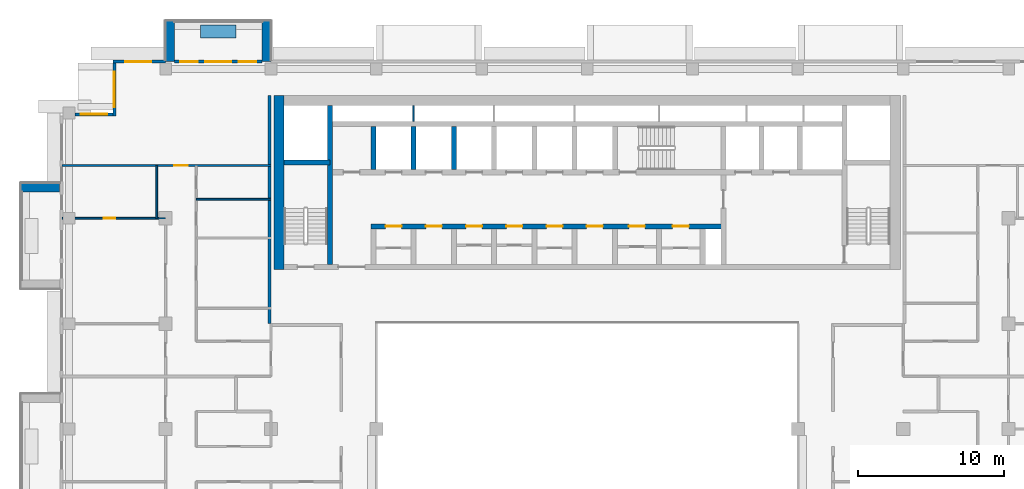
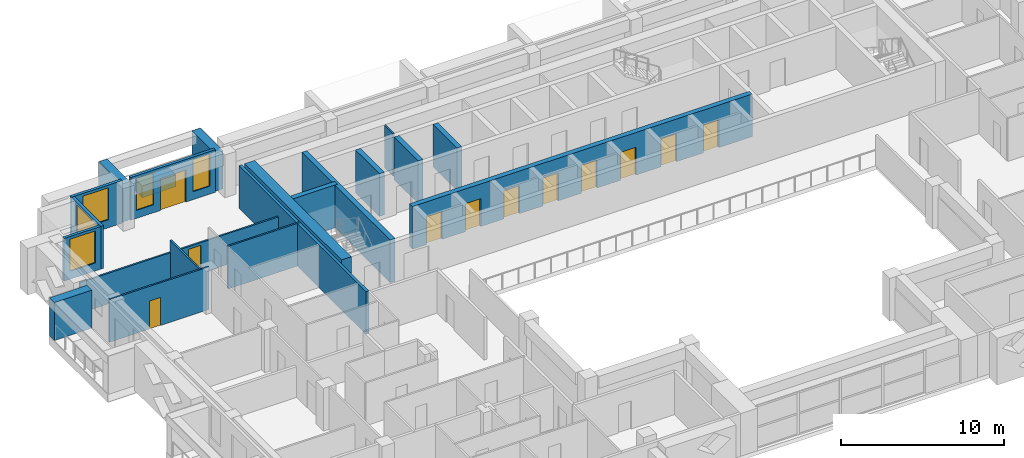
# One storey, part 10 of 20: 21 walls, 11 doors, 5 windows, 16 openings.
"""IFC4 building model written with IfcOpenShell, lengths in metres."""

from ifc_helpers import new_model, si_unit, direction, frame, frame_2d, origin, place, context, subcontext, project, spatial, rectangle, extrude, material, layer, layer_set, type_object, element, fill, save


model = new_model("IFC4")

# Units and contexts
model_context = context("Model", 3, precision=1e-05, world=origin(), true_north=direction((0.0, 1.0)))
body_context = subcontext(model_context, "Body", "Model", "MODEL_VIEW")
ifc_project = project(units=[si_unit("LENGTHUNIT", "METRE"), si_unit("AREAUNIT", "SQUARE_METRE"), si_unit("VOLUMEUNIT", "CUBIC_METRE"), si_unit("PLANEANGLEUNIT", "RADIAN"), si_unit("MASSUNIT", "GRAM", prefix="KILO")], contexts=[model_context])

# Site, building, storey
site_placement = place(None, origin())
site = spatial("IfcSite", under=ifc_project, at=site_placement, CompositionType="ELEMENT")
building_placement = place(site_placement, origin())
building = spatial("IfcBuilding", under=site, at=building_placement, Name="Saffron Iwan Residences", CompositionType="ELEMENT")
storey_placement = place(building_placement, frame((0.0, 0.0, 178.0)))
storey = spatial("IfcBuildingStorey", under=building, at=storey_placement, Name="L47", CompositionType="ELEMENT", Elevation=178.0)

# Walls
ifc_material_1 = material(Name="Concrete C50/60 white painted", Category="concrete")
ifc_layer_1 = layer(ifc_material_1, 0.60009765625)
ifc_layer_set_1 = layer_set([ifc_layer_1], Name="Concrete C50/60 white painted")
wall_type_1 = type_object("IfcWallType", Name="BALCONY FIN 600", PredefinedType="SOLIDWALL", material=ifc_layer_set_1)
for number, where, z_axis, x_axis, name in (
    (1, (28.5, 80.300048828125, 0.0), (0.0, 0.0, 1.0), (0.0, 1.0, 0.0), "Balcony fin L47 F5-3a"),
    (2, (21.89990234375, 80.300048828125, 0.0), (0.0, 0.0, 1.0), (0.0, 1.0, 0.0), "Balcony fin L47 F5-3b"),
):
    element("IfcWall", number, at=place(storey_placement, frame(where, z_axis=z_axis, x_axis=x_axis)), inside=storey, type_object=wall_type_1, Name=name, PredefinedType="SOLIDWALL", context=body_context, shape_type="SweptSolid", body=[
        extrude(rectangle(XDim=2.800048828125, YDim=0.60009765625, at=frame_2d((1.39990234375, 0.0))), origin(), (0.0, 0.0, 1.0), 2.85009765625),
    ])
wall_1_placement = place(storey_placement, frame((14.35009765625, 71.699951171875, 0.0), z_axis=(0.0, 0.0, 1.0), x_axis=(-1.0, 0.0, 0.0)))
element("IfcWall", 3, at=wall_1_placement, inside=storey, type_object=wall_type_1, Name="Balcony fin L47 F8-0a", PredefinedType="SOLIDWALL", context=body_context, shape_type="SweptSolid", body=[
    extrude(rectangle(XDim=2.650146484375, YDim=0.60009765625, at=frame_2d((1.3251953125, 0.0))), origin(), (0.0, 0.0, 1.0), 2.85009765625),
])
ifc_material_2 = material(Name="Concrete C35/45 white painted", Category="concrete")
ifc_layer_2 = layer(ifc_material_2, 0.14990234375)
ifc_layer_set_2 = layer_set([ifc_layer_2], Name="Concrete C35/45 white painted")
wall_type_2 = type_object("IfcWallType", Name="BALCONY PLANTER", PredefinedType="SOLIDWALL", material=ifc_layer_set_2)
wall_2_placement = place(storey_placement, frame((26.39990234375, 82.375, 0.0), z_axis=(0.0, 0.0, 1.0), x_axis=(-1.0, 0.0, 0.0)))
element("IfcWall", 4, at=wall_2_placement, inside=storey, type_object=wall_type_2, Name="PLANTER L47 F5-3", PredefinedType="SOLIDWALL", context=body_context, shape_type="SweptSolid", body=[
    extrude(rectangle(XDim=2.39990234375, YDim=0.89990234375, at=frame_2d((1.199951171875, 0.0))), origin(), (0.0, 0.0, 1.0), 0.89990234375),
])

# Wall, openings, door, windows
ifc_material_3 = material(Name="Concrete C40/50", Category="concrete")
ifc_layer_3 = layer(ifc_material_3, 0.199951171875)
ifc_layer_set_3 = layer_set([ifc_layer_3], Name="Concrete C40/50")
wall_type_3 = type_object("IfcWallType", Name="EXTERNAL WALL 200", PredefinedType="SOLIDWALL", material=ifc_layer_set_3)
wall_3_placement = place(storey_placement, frame((28.199951171875, 80.300048828125, 0.0), z_axis=(0.0, 0.0, 1.0), x_axis=(-1.0, 0.0, 0.0)))
wall_3 = element("IfcWall", 5, at=wall_3_placement, inside=storey, type_object=wall_type_3, Name="External wall L47 F5.1", PredefinedType="SOLIDWALL", context=body_context, shape_type="SweptSolid", body=[
    extrude(rectangle(XDim=6.0, YDim=0.199951171875, at=frame_2d((3.0, 0.0))), origin(), (0.0, 0.0, 1.0), 3.199951171875),
])
opening_1_placement = place(wall_3_placement, frame((2.10009765625, 0.0, 0.0)))
opening_1 = element("IfcOpeningElement", 6, at=opening_1_placement, cuts=wall_3, Name="Opening BD1", PredefinedType="OPENING", context=body_context, shape_type="SweptSolid", body=[
    extrude(rectangle(XDim=1.800048828125, YDim=2.39990234375, at=frame_2d((0.89990234375, 1.199951171875))), frame((0.0, 0.10986328125, 0.0), z_axis=(0.0, -1.0, 0.0), x_axis=(1.0, 0.0, 0.0)), (0.0, 0.0, 1.0), 0.219970703125),
])
opening_2_placement = place(wall_3_placement, frame((0.39990234375, 0.0, 0.60009765625)))
opening_2 = element("IfcOpeningElement", 7, at=opening_2_placement, cuts=wall_3, Name="Opening W3", PredefinedType="OPENING", context=body_context, shape_type="SweptSolid", body=[
    extrude(rectangle(XDim=1.199951171875, YDim=2.39990234375, at=frame_2d((0.60009765625, 1.199951171875))), frame((0.0, 0.10986328125, 0.0), z_axis=(0.0, -1.0, 0.0), x_axis=(1.0, 0.0, 0.0)), (0.0, 0.0, 1.0), 0.219970703125),
])
opening_3_placement = place(wall_3_placement, frame((4.39990234375, 0.0, 0.60009765625)))
opening_3 = element("IfcOpeningElement", 8, at=opening_3_placement, cuts=wall_3, Name="Opening W3", PredefinedType="OPENING", context=body_context, shape_type="SweptSolid", body=[
    extrude(rectangle(XDim=1.199951171875, YDim=2.39990234375, at=frame_2d((0.60009765625, 1.199951171875))), frame((0.0, 0.10986328125, 0.0), z_axis=(0.0, -1.0, 0.0), x_axis=(1.0, 0.0, 0.0)), (0.0, 0.0, 1.0), 0.219970703125),
])
ifc_material_4 = material(Name="Clear glass, laminated double glazed", Category="glass")
door_type_1 = type_object("IfcDoorType", Name="BALCONY DOOR 1800 x 2400", OperationType="DOUBLE_DOOR_SLIDING", PredefinedType="DOOR", material=ifc_material_4)
door_1_placement = place(opening_1_placement, origin())
door_1 = element("IfcDoor", 9, at=door_1_placement, inside=storey, type_object=door_type_1, Name="Balcony door L47 F5.0", OperationType="DOUBLE_DOOR_SLIDING", OverallHeight=2.39990234375, OverallWidth=1.800048828125, PredefinedType="DOOR", context=body_context, shape_type="SweptSolid", body=[
    extrude(rectangle(XDim=1.800048828125, YDim=2.39990234375, at=frame_2d((0.89990234375, 1.199951171875))), frame((0.0, 0.02490234375, 0.0), z_axis=(0.0, -1.0, 0.0), x_axis=(1.0, 0.0, 0.0)), (0.0, 0.0, 1.0), 0.050048828125),
])
fill(opening_1, door_1)
window_type_1 = type_object("IfcWindowType", Name="WINDOW 1200 x 2400", PartitioningType="SINGLE_PANEL", PredefinedType="WINDOW", material=ifc_material_4)
window_1_placement = place(opening_2_placement, origin())
window_1 = element("IfcWindow", 10, at=window_1_placement, inside=storey, type_object=window_type_1, Name="Window L47 F5.1", OverallHeight=2.39990234375, OverallWidth=1.199951171875, PartitioningType="SINGLE_PANEL", PredefinedType="WINDOW", context=body_context, shape_type="SweptSolid", body=[
    extrude(rectangle(XDim=1.199951171875, YDim=2.39990234375, at=frame_2d((0.60009765625, 1.199951171875))), frame((0.0, 0.030029296875, 0.0), z_axis=(0.0, -1.0, 0.0), x_axis=(1.0, 0.0, 0.0)), (0.0, 0.0, 1.0), 0.06005859375),
])
fill(opening_2, window_1)
window_2_placement = place(opening_3_placement, origin())
window_2 = element("IfcWindow", 11, at=window_2_placement, inside=storey, type_object=window_type_1, Name="Window L47 F5.2", OverallHeight=2.39990234375, OverallWidth=1.199951171875, PartitioningType="SINGLE_PANEL", PredefinedType="WINDOW", context=body_context, shape_type="SweptSolid", body=[
    extrude(rectangle(XDim=1.199951171875, YDim=2.39990234375, at=frame_2d((0.60009765625, 1.199951171875))), frame((0.0, 0.030029296875, 0.0), z_axis=(0.0, -1.0, 0.0), x_axis=(1.0, 0.0, 0.0)), (0.0, 0.0, 1.0), 0.06005859375),
])
fill(opening_3, window_2)

# Wall, opening, window
wall_4_placement = place(storey_placement, frame((21.60009765625, 80.300048828125, 0.0), z_axis=(0.0, 0.0, 1.0), x_axis=(-1.0, 0.0, 0.0)))
wall_4 = element("IfcWall", 12, at=wall_4_placement, inside=storey, type_object=wall_type_3, Name="External wall L47 F5.2", PredefinedType="SOLIDWALL", context=body_context, shape_type="SweptSolid", body=[
    extrude(rectangle(XDim=3.60009765625, YDim=0.199951171875, at=frame_2d((1.800048828125, 0.0))), origin(), (0.0, 0.0, 1.0), 3.199951171875),
])
opening_4_placement = place(wall_4_placement, frame((0.97509765625, 0.0, 0.60009765625)))
opening_4 = element("IfcOpeningElement", 13, at=opening_4_placement, cuts=wall_4, Name="Opening W8", PredefinedType="OPENING", context=body_context, shape_type="SweptSolid", body=[
    extrude(rectangle(XDim=1.800048828125, YDim=2.39990234375, at=frame_2d((0.89990234375, 1.199951171875))), frame((0.0, 0.10986328125, 0.0), z_axis=(0.0, -1.0, 0.0), x_axis=(1.0, 0.0, 0.0)), (0.0, 0.0, 1.0), 0.219970703125),
])
window_type_2 = type_object("IfcWindowType", Name="WINDOW 1800 x 2400", PartitioningType="DOUBLE_PANEL_VERTICAL", PredefinedType="WINDOW", material=ifc_material_4)
window_3_placement = place(opening_4_placement, origin())
window_3 = element("IfcWindow", 14, at=window_3_placement, inside=storey, type_object=window_type_2, Name="Window L47 F5.0", OverallHeight=2.39990234375, OverallWidth=1.800048828125, PartitioningType="DOUBLE_PANEL_VERTICAL", PredefinedType="WINDOW", context=body_context, shape_type="SweptSolid", body=[
    extrude(rectangle(XDim=1.800048828125, YDim=2.39990234375, at=frame_2d((0.89990234375, 1.199951171875))), frame((0.0, 0.030029296875, 0.0), z_axis=(0.0, -1.0, 0.0), x_axis=(1.0, 0.0, 0.0)), (0.0, 0.0, 1.0), 0.06005859375),
])
fill(opening_4, window_3)

wall_5_placement = place(storey_placement, frame((18.10009765625, 80.199951171875, 0.0), z_axis=(0.0, 0.0, 1.0), x_axis=(0.0, -1.0, 0.0)))
wall_5 = element("IfcWall", 15, at=wall_5_placement, inside=storey, type_object=wall_type_3, Name="External wall L47 F6.0", PredefinedType="SOLIDWALL", context=body_context, shape_type="SweptSolid", body=[
    extrude(rectangle(XDim=3.599853515625, YDim=0.199951171875, at=frame_2d((1.7998046875, 0.0))), origin(), (0.0, 0.0, 1.0), 3.199951171875),
])
opening_5_placement = place(wall_5_placement, frame((0.60009765625, 0.0, 0.60009765625)))
opening_5 = element("IfcOpeningElement", 16, at=opening_5_placement, cuts=wall_5, Name="Opening W1", PredefinedType="OPENING", context=body_context, shape_type="SweptSolid", body=[
    extrude(rectangle(XDim=2.39990234375, YDim=2.39990234375, at=frame_2d((1.199951171875, 1.199951171875))), frame((0.0, 0.10986328125, 0.0), z_axis=(0.0, -1.0, 0.0), x_axis=(1.0, 0.0, 0.0)), (0.0, 0.0, 1.0), 0.219970703125),
])
window_type_3 = type_object("IfcWindowType", Name="WINDOW 2400 x 2400", PartitioningType="DOUBLE_PANEL_VERTICAL", PredefinedType="WINDOW", material=ifc_material_4)
window_4_placement = place(opening_5_placement, origin())
window_4 = element("IfcWindow", 17, at=window_4_placement, inside=storey, type_object=window_type_3, Name="Window L47 F6.0", OverallHeight=2.39990234375, OverallWidth=2.39990234375, PartitioningType="DOUBLE_PANEL_VERTICAL", PredefinedType="WINDOW", context=body_context, shape_type="SweptSolid", body=[
    extrude(rectangle(XDim=2.39990234375, YDim=2.39990234375, at=frame_2d((1.199951171875, 1.199951171875))), frame((0.0, 0.030029296875, 0.0), z_axis=(0.0, -1.0, 0.0), x_axis=(1.0, 0.0, 0.0)), (0.0, 0.0, 1.0), 0.06005859375),
])
fill(opening_5, window_4)

wall_6_placement = place(storey_placement, frame((18.0, 76.699951171875, 0.0), z_axis=(0.0, 0.0, 1.0), x_axis=(-1.0, 0.0, 0.0)))
wall_6 = element("IfcWall", 18, at=wall_6_placement, inside=storey, type_object=wall_type_3, Name="External wall L47 F7.0", PredefinedType="SOLIDWALL", context=body_context, shape_type="SweptSolid", body=[
    extrude(rectangle(XDim=2.60009765625, YDim=0.199951171875, at=frame_2d((1.300048828125, 0.0))), origin(), (0.0, 0.0, 1.0), 3.199951171875),
])
opening_6_placement = place(wall_6_placement, frame((0.39990234375, 0.0, 0.60009765625)))
opening_6 = element("IfcOpeningElement", 19, at=opening_6_placement, cuts=wall_6, Name="Opening W8", PredefinedType="OPENING", context=body_context, shape_type="SweptSolid", body=[
    extrude(rectangle(XDim=1.800048828125, YDim=2.39990234375, at=frame_2d((0.89990234375, 1.199951171875))), frame((0.0, 0.10986328125, 0.0), z_axis=(0.0, -1.0, 0.0), x_axis=(1.0, 0.0, 0.0)), (0.0, 0.0, 1.0), 0.219970703125),
])
window_5_placement = place(opening_6_placement, origin())
window_5 = element("IfcWindow", 20, at=window_5_placement, inside=storey, type_object=window_type_2, Name="Window L47 F7.0", OverallHeight=2.39990234375, OverallWidth=1.800048828125, PartitioningType="DOUBLE_PANEL_VERTICAL", PredefinedType="WINDOW", context=body_context, shape_type="SweptSolid", body=[
    extrude(rectangle(XDim=1.800048828125, YDim=2.39990234375, at=frame_2d((0.89990234375, 1.199951171875))), frame((0.0, 0.030029296875, 0.0), z_axis=(0.0, -1.0, 0.0), x_axis=(1.0, 0.0, 0.0)), (0.0, 0.0, 1.0), 0.06005859375),
])
fill(opening_6, window_5)

# Wall, opening, door
ifc_material_5 = material(Name="Gypsum board partition")
ifc_layer_4 = layer(ifc_material_5, 0.1201171875)
ifc_layer_set_4 = layer_set([ifc_layer_4], Name="Gypsum board partition")
wall_type_4 = type_object("IfcWallType", Name="Flat partition 120", PredefinedType="PARTITIONING", material=ifc_layer_set_4)
wall_7_placement = place(storey_placement, frame((14.52490234375, 69.60009765625, 0.0), z_axis=(0.0, 0.0, 1.0), x_axis=(1.0, 0.0, 0.0)))
wall_7 = element("IfcWall", 21, at=wall_7_placement, inside=storey, type_object=wall_type_4, Name="W-L47-PART-h69.6-14.525", PredefinedType="PARTITIONING", context=body_context, shape_type="SweptSolid", body=[
    extrude(rectangle(XDim=7.0751953125, YDim=0.1201171875, at=frame_2d((3.53759765625, 0.0))), origin(), (0.0, 0.0, 1.0), 3.199951171875),
])
opening_7_placement = place(wall_7_placement, frame((2.83740234375, 0.0, 0.0)))
opening_7 = element("IfcOpeningElement", 22, at=opening_7_placement, cuts=wall_7, Name="Opening FD3", PredefinedType="OPENING", context=body_context, shape_type="SweptSolid", body=[
    extrude(rectangle(XDim=0.800048828125, YDim=2.10009765625, at=frame_2d((0.39990234375, 1.050048828125))), frame((0.0, 0.070068359375, 0.0), z_axis=(0.0, -1.0, 0.0), x_axis=(1.0, 0.0, 0.0)), (0.0, 0.0, 1.0), 0.14013671875),
])
ifc_material_6 = material(Name="Timber door", Category="wood")
door_type_2 = type_object("IfcDoorType", Name="Bathroom door 800", OperationType="NOTDEFINED", PredefinedType="DOOR", material=ifc_material_6)
door_2_placement = place(opening_7_placement, origin())
door_2 = element("IfcDoor", 23, at=door_2_placement, inside=storey, type_object=door_type_2, Name="Door L47-024", OperationType="SINGLE_SWING_LEFT", OverallHeight=2.10009765625, OverallWidth=0.800048828125, PredefinedType="DOOR", context=body_context, shape_type="SweptSolid", body=[
    extrude(rectangle(XDim=0.800048828125, YDim=2.10009765625, at=frame_2d((0.39990234375, 1.050048828125))), frame((0.0, 0.02490234375, 0.0), z_axis=(0.0, -1.0, 0.0), x_axis=(1.0, 0.0, 0.0)), (0.0, 0.0, 1.0), 0.050048828125),
])
fill(opening_7, door_2)

# Wall
wall_8_placement = place(storey_placement, frame((23.699951171875, 70.89990234375, 0.0), z_axis=(0.0, 0.0, 1.0), x_axis=(1.0, 0.0, 0.0)))
element("IfcWall", 24, at=wall_8_placement, inside=storey, type_object=wall_type_4, Name="W-L47-PART-h70.9-23.7", PredefinedType="PARTITIONING", context=body_context, shape_type="SweptSolid", body=[
    extrude(rectangle(XDim=5.10009765625, YDim=0.1201171875, at=frame_2d((2.550048828125, 0.0))), origin(), (0.0, 0.0, 1.0), 3.199951171875),
])

# Wall, opening, door
wall_9_placement = place(storey_placement, frame((14.52490234375, 73.199951171875, 0.0), z_axis=(0.0, 0.0, 1.0), x_axis=(1.0, 0.0, 0.0)))
wall_9 = element("IfcWall", 25, at=wall_9_placement, inside=storey, type_object=wall_type_4, Name="W-L47-PART-h73.2-14.525", PredefinedType="PARTITIONING", context=body_context, shape_type="SweptSolid", body=[
    extrude(rectangle(XDim=14.275146484375, YDim=0.1201171875, at=frame_2d((7.1376953125, 0.0))), origin(), (0.0, 0.0, 1.0), 2.300048828125),
])
opening_8_placement = place(wall_9_placement, frame((7.675048828125, 0.0, 0.0)))
opening_8 = element("IfcOpeningElement", 26, at=opening_8_placement, cuts=wall_9, Name="Opening FD2", PredefinedType="OPENING", context=body_context, shape_type="SweptSolid", body=[
    extrude(rectangle(XDim=0.89990234375, YDim=2.10009765625, at=frame_2d((0.449951171875, 1.050048828125))), frame((0.0, 0.070068359375, 0.0), z_axis=(0.0, -1.0, 0.0), x_axis=(1.0, 0.0, 0.0)), (0.0, 0.0, 1.0), 0.14013671875),
])
door_type_3 = type_object("IfcDoorType", Name="Flat door 900", OperationType="NOTDEFINED", PredefinedType="DOOR", material=ifc_material_6)
door_3_placement = place(opening_8_placement, origin())
door_3 = element("IfcDoor", 27, at=door_3_placement, inside=storey, type_object=door_type_3, Name="Door L47-025", OperationType="SINGLE_SWING_LEFT", OverallHeight=2.10009765625, OverallWidth=0.89990234375, PredefinedType="DOOR", context=body_context, shape_type="SweptSolid", body=[
    extrude(rectangle(XDim=0.89990234375, YDim=2.10009765625, at=frame_2d((0.449951171875, 1.050048828125))), frame((0.0, 0.02490234375, 0.0), z_axis=(0.0, -1.0, 0.0), x_axis=(1.0, 0.0, 0.0)), (0.0, 0.0, 1.0), 0.050048828125),
])
fill(opening_8, door_3)

# Walls
wall_10_placement = place(storey_placement, frame((21.0, 69.60009765625, 0.0), z_axis=(0.0, 0.0, 1.0), x_axis=(0.0, 1.0, 0.0)))
element("IfcWall", 28, at=wall_10_placement, inside=storey, type_object=wall_type_4, Name="W-L47-PART-v21-69.6", PredefinedType="PARTITIONING", context=body_context, shape_type="SweptSolid", body=[
    extrude(rectangle(XDim=3.599853515625, YDim=0.1201171875, at=frame_2d((1.7998046875, 0.0))), origin(), (0.0, 0.0, 1.0), 3.199951171875),
])
ifc_material_7 = material(Name="Fire-rated gypsum board wall")
ifc_layer_5 = layer(ifc_material_7, 0.199951171875)
ifc_layer_set_5 = layer_set([ifc_layer_5], Name="Fire-rated gypsum board wall")
wall_type_5 = type_object("IfcWallType", Name="Gallery wall 200", PredefinedType="SOLIDWALL", material=ifc_layer_set_5)
wall_11_placement = place(storey_placement, frame((28.699951171875, 62.39990234375, 0.0), z_axis=(0.0, 0.0, 1.0), x_axis=(0.0, 1.0, 0.0)))
element("IfcWall", 29, at=wall_11_placement, inside=storey, type_object=wall_type_5, Name="W-L47-CORR-v28.8-62.4", PredefinedType="SOLIDWALL", context=body_context, shape_type="SweptSolid", body=[
    extrude(rectangle(XDim=15.60009765625, YDim=0.199951171875, at=frame_2d((7.800048828125, 0.0))), origin(), (0.0, 0.0, 1.0), 3.199951171875),
])
ifc_material_8 = material(Name="Fire-rated plasterboard partition")
ifc_layer_6 = layer(ifc_material_8, 0.10009765625)
ifc_layer_set_6 = layer_set([ifc_layer_6], Name="Fire-rated plasterboard partition")
wall_type_6 = type_object("IfcWallType", Name="Riser partition 100", PredefinedType="PARTITIONING", material=ifc_layer_set_6)
wall_12_placement = place(storey_placement, frame((38.550048828125, 76.22509765625, 0.0), z_axis=(0.0, 0.0, 1.0), x_axis=(0.0, 1.0, 0.0)))
element("IfcWall", 30, at=wall_12_placement, inside=storey, type_object=wall_type_6, Name="Core partition P07", PredefinedType="PARTITIONING", context=body_context, shape_type="SweptSolid", body=[
    extrude(rectangle(XDim=1.074951171875, YDim=0.10009765625, at=frame_2d((0.53759765625, 0.0))), origin(), (0.0, 0.0, 1.0), 3.199951171875),
])

# Wall, openings, doors
ifc_material_9 = material(Name="Concrete C50/60", Category="concrete")
ifc_layer_7 = layer(ifc_material_9, 0.35009765625)
ifc_layer_set_7 = layer_set([ifc_layer_7], Name="Concrete C50/60")
wall_type_7 = type_object("IfcWallType", Name="WALL CORE 350 C50/60 3200 HIGH", PredefinedType="SHEAR", material=ifc_layer_set_7)
wall_13_placement = place(storey_placement, frame((35.625, 69.050048828125, 0.0), z_axis=(0.0, 0.0, 1.0), x_axis=(1.0, 0.0, 0.0)))
wall_13 = element("IfcWall", 31, at=wall_13_placement, inside=storey, type_object=wall_type_7, Name="Core wall", PredefinedType="SHEAR", context=body_context, shape_type="SweptSolid", body=[
    extrude(rectangle(XDim=24.10009765625, YDim=0.35009765625, at=frame_2d((12.050048828125, 0.0))), origin(), (0.0, 0.0, 1.0), 3.199951171875),
])
opening_9_placement = place(wall_13_placement, frame((1.0, 0.0, 0.0)))
opening_9 = element("IfcOpeningElement", 32, at=opening_9_placement, cuts=wall_13, Name="Opening SR", PredefinedType="OPENING", context=body_context, shape_type="SweptSolid", body=[
    extrude(rectangle(XDim=1.10009765625, YDim=2.10009765625, at=frame_2d((0.550048828125, 1.050048828125))), frame((0.0, 0.18505859375, 0.0), z_axis=(0.0, -1.0, 0.0), x_axis=(1.0, 0.0, 0.0)), (0.0, 0.0, 1.0), 0.3701171875),
])
opening_10_placement = place(wall_13_placement, frame((3.75, 0.0, 0.0)))
opening_10 = element("IfcOpeningElement", 33, at=opening_10_placement, cuts=wall_13, Name="Opening SR", PredefinedType="OPENING", context=body_context, shape_type="SweptSolid", body=[
    extrude(rectangle(XDim=1.10009765625, YDim=2.10009765625, at=frame_2d((0.550048828125, 1.050048828125))), frame((0.0, 0.18505859375, 0.0), z_axis=(0.0, -1.0, 0.0), x_axis=(1.0, 0.0, 0.0)), (0.0, 0.0, 1.0), 0.3701171875),
])
opening_11_placement = place(wall_13_placement, frame((6.5, 0.0, 0.0)))
opening_11 = element("IfcOpeningElement", 34, at=opening_11_placement, cuts=wall_13, Name="Opening SR", PredefinedType="OPENING", context=body_context, shape_type="SweptSolid", body=[
    extrude(rectangle(XDim=1.10009765625, YDim=2.10009765625, at=frame_2d((0.550048828125, 1.050048828125))), frame((0.0, 0.18505859375, 0.0), z_axis=(0.0, -1.0, 0.0), x_axis=(1.0, 0.0, 0.0)), (0.0, 0.0, 1.0), 0.3701171875),
])
opening_12_placement = place(wall_13_placement, frame((9.25, 0.0, 0.0)))
opening_12 = element("IfcOpeningElement", 35, at=opening_12_placement, cuts=wall_13, Name="Opening SR", PredefinedType="OPENING", context=body_context, shape_type="SweptSolid", body=[
    extrude(rectangle(XDim=1.10009765625, YDim=2.10009765625, at=frame_2d((0.550048828125, 1.050048828125))), frame((0.0, 0.18505859375, 0.0), z_axis=(0.0, -1.0, 0.0), x_axis=(1.0, 0.0, 0.0)), (0.0, 0.0, 1.0), 0.3701171875),
])
opening_13_placement = place(wall_13_placement, frame((12.0, 0.0, 0.0)))
opening_13 = element("IfcOpeningElement", 36, at=opening_13_placement, cuts=wall_13, Name="Opening SR", PredefinedType="OPENING", context=body_context, shape_type="SweptSolid", body=[
    extrude(rectangle(XDim=1.10009765625, YDim=2.10009765625, at=frame_2d((0.550048828125, 1.050048828125))), frame((0.0, 0.18505859375, 0.0), z_axis=(0.0, -1.0, 0.0), x_axis=(1.0, 0.0, 0.0)), (0.0, 0.0, 1.0), 0.3701171875),
])
opening_14_placement = place(wall_13_placement, frame((14.75, 0.0, 0.0)))
opening_14 = element("IfcOpeningElement", 37, at=opening_14_placement, cuts=wall_13, Name="Opening SR", PredefinedType="OPENING", context=body_context, shape_type="SweptSolid", body=[
    extrude(rectangle(XDim=1.10009765625, YDim=2.10009765625, at=frame_2d((0.550048828125, 1.050048828125))), frame((0.0, 0.18505859375, 0.0), z_axis=(0.0, -1.0, 0.0), x_axis=(1.0, 0.0, 0.0)), (0.0, 0.0, 1.0), 0.3701171875),
])
opening_15_placement = place(wall_13_placement, frame((17.625, 0.0, 0.0)))
opening_15 = element("IfcOpeningElement", 38, at=opening_15_placement, cuts=wall_13, Name="Opening SR", PredefinedType="OPENING", context=body_context, shape_type="SweptSolid", body=[
    extrude(rectangle(XDim=1.10009765625, YDim=2.10009765625, at=frame_2d((0.550048828125, 1.050048828125))), frame((0.0, 0.18505859375, 0.0), z_axis=(0.0, -1.0, 0.0), x_axis=(1.0, 0.0, 0.0)), (0.0, 0.0, 1.0), 0.3701171875),
])
opening_16_placement = place(wall_13_placement, frame((20.625, 0.0, 0.0)))
opening_16 = element("IfcOpeningElement", 39, at=opening_16_placement, cuts=wall_13, Name="Opening SR", PredefinedType="OPENING", context=body_context, shape_type="SweptSolid", body=[
    extrude(rectangle(XDim=1.10009765625, YDim=2.10009765625, at=frame_2d((0.550048828125, 1.050048828125))), frame((0.0, 0.18505859375, 0.0), z_axis=(0.0, -1.0, 0.0), x_axis=(1.0, 0.0, 0.0)), (0.0, 0.0, 1.0), 0.3701171875),
])
ifc_material_10 = material(Name="Steel fire door", Category="steel")
door_type_4 = type_object("IfcDoorType", Name="Service door 1100", OperationType="NOTDEFINED", PredefinedType="DOOR", material=ifc_material_10)
door_4_placement = place(opening_9_placement, origin())
door_4 = element("IfcDoor", 40, at=door_4_placement, inside=storey, type_object=door_type_4, Name="Door Linen store", OperationType="SINGLE_SWING_RIGHT", OverallHeight=2.10009765625, OverallWidth=1.10009765625, PredefinedType="DOOR", context=body_context, shape_type="SweptSolid", body=[
    extrude(rectangle(XDim=1.10009765625, YDim=2.10009765625, at=frame_2d((0.550048828125, 1.050048828125))), frame((0.0, 0.02490234375, 0.0), z_axis=(0.0, -1.0, 0.0), x_axis=(1.0, 0.0, 0.0)), (0.0, 0.0, 1.0), 0.050048828125),
])
fill(opening_9, door_4)
door_5_placement = place(opening_10_placement, origin())
door_5 = element("IfcDoor", 41, at=door_5_placement, inside=storey, type_object=door_type_4, Name="Door Pantry", OperationType="SINGLE_SWING_LEFT", OverallHeight=2.10009765625, OverallWidth=1.10009765625, PredefinedType="DOOR", context=body_context, shape_type="SweptSolid", body=[
    extrude(rectangle(XDim=1.10009765625, YDim=2.10009765625, at=frame_2d((0.550048828125, 1.050048828125))), frame((0.0, 0.02490234375, 0.0), z_axis=(0.0, -1.0, 0.0), x_axis=(1.0, 0.0, 0.0)), (0.0, 0.0, 1.0), 0.050048828125),
])
fill(opening_10, door_5)
door_6_placement = place(opening_11_placement, origin())
door_6 = element("IfcDoor", 42, at=door_6_placement, inside=storey, type_object=door_type_4, Name="Door Electrical room", OperationType="SINGLE_SWING_RIGHT", OverallHeight=2.10009765625, OverallWidth=1.10009765625, PredefinedType="DOOR", context=body_context, shape_type="SweptSolid", body=[
    extrude(rectangle(XDim=1.10009765625, YDim=2.10009765625, at=frame_2d((0.550048828125, 1.050048828125))), frame((0.0, 0.02490234375, 0.0), z_axis=(0.0, -1.0, 0.0), x_axis=(1.0, 0.0, 0.0)), (0.0, 0.0, 1.0), 0.050048828125),
])
fill(opening_11, door_6)
door_7_placement = place(opening_12_placement, origin())
door_7 = element("IfcDoor", 43, at=door_7_placement, inside=storey, type_object=door_type_4, Name="Door Luggage store", OperationType="SINGLE_SWING_LEFT", OverallHeight=2.10009765625, OverallWidth=1.10009765625, PredefinedType="DOOR", context=body_context, shape_type="SweptSolid", body=[
    extrude(rectangle(XDim=1.10009765625, YDim=2.10009765625, at=frame_2d((0.550048828125, 1.050048828125))), frame((0.0, 0.02490234375, 0.0), z_axis=(0.0, -1.0, 0.0), x_axis=(1.0, 0.0, 0.0)), (0.0, 0.0, 1.0), 0.050048828125),
])
fill(opening_12, door_7)
door_8_placement = place(opening_13_placement, origin())
door_8 = element("IfcDoor", 44, at=door_8_placement, inside=storey, type_object=door_type_4, Name="Door Refuse store", OperationType="SINGLE_SWING_RIGHT", OverallHeight=2.10009765625, OverallWidth=1.10009765625, PredefinedType="DOOR", context=body_context, shape_type="SweptSolid", body=[
    extrude(rectangle(XDim=1.10009765625, YDim=2.10009765625, at=frame_2d((0.550048828125, 1.050048828125))), frame((0.0, 0.02490234375, 0.0), z_axis=(0.0, -1.0, 0.0), x_axis=(1.0, 0.0, 0.0)), (0.0, 0.0, 1.0), 0.050048828125),
])
fill(opening_13, door_8)
door_9_placement = place(opening_14_placement, origin())
door_9 = element("IfcDoor", 45, at=door_9_placement, inside=storey, type_object=door_type_4, Name="Door Maintenance store", OperationType="SINGLE_SWING_LEFT", OverallHeight=2.10009765625, OverallWidth=1.10009765625, PredefinedType="DOOR", context=body_context, shape_type="SweptSolid", body=[
    extrude(rectangle(XDim=1.10009765625, YDim=2.10009765625, at=frame_2d((0.550048828125, 1.050048828125))), frame((0.0, 0.02490234375, 0.0), z_axis=(0.0, -1.0, 0.0), x_axis=(1.0, 0.0, 0.0)), (0.0, 0.0, 1.0), 0.050048828125),
])
fill(opening_14, door_9)
door_10_placement = place(opening_15_placement, origin())
door_10 = element("IfcDoor", 46, at=door_10_placement, inside=storey, type_object=door_type_4, Name="Door Cleaner's store", OperationType="SINGLE_SWING_RIGHT", OverallHeight=2.10009765625, OverallWidth=1.10009765625, PredefinedType="DOOR", context=body_context, shape_type="SweptSolid", body=[
    extrude(rectangle(XDim=1.10009765625, YDim=2.10009765625, at=frame_2d((0.550048828125, 1.050048828125))), frame((0.0, 0.02490234375, 0.0), z_axis=(0.0, -1.0, 0.0), x_axis=(1.0, 0.0, 0.0)), (0.0, 0.0, 1.0), 0.050048828125),
])
fill(opening_15, door_10)
door_11_placement = place(opening_16_placement, origin())
door_11 = element("IfcDoor", 47, at=door_11_placement, inside=storey, type_object=door_type_4, Name="Door Trolley store", OperationType="SINGLE_SWING_RIGHT", OverallHeight=2.10009765625, OverallWidth=1.10009765625, PredefinedType="DOOR", context=body_context, shape_type="SweptSolid", body=[
    extrude(rectangle(XDim=1.10009765625, YDim=2.10009765625, at=frame_2d((0.550048828125, 1.050048828125))), frame((0.0, 0.02490234375, 0.0), z_axis=(0.0, -1.0, 0.0), x_axis=(1.0, 0.0, 0.0)), (0.0, 0.0, 1.0), 0.050048828125),
])
fill(opening_16, door_11)

# Walls
wall_14_placement = place(storey_placement, frame((29.699951171875, 73.425048828125, 0.0), z_axis=(0.0, 0.0, 1.0), x_axis=(1.0, 0.0, 0.0)))
element("IfcWall", 48, at=wall_14_placement, inside=storey, type_object=wall_type_7, Name="Core wall", PredefinedType="SHEAR", context=body_context, shape_type="SweptSolid", body=[
    extrude(rectangle(XDim=3.125, YDim=0.35009765625, at=frame_2d((1.5625, 0.0))), origin(), (0.0, 0.0, 1.0), 3.199951171875),
])
wall_15_placement = place(storey_placement, frame((32.824951171875, 66.449951171875, 0.0), z_axis=(0.0, 0.0, 1.0), x_axis=(0.0, 1.0, 0.0)))
element("IfcWall", 49, at=wall_15_placement, inside=storey, type_object=wall_type_7, Name="Core wall", PredefinedType="SHEAR", context=body_context, shape_type="SweptSolid", body=[
    extrude(rectangle(XDim=10.85009765625, YDim=0.35009765625, at=frame_2d((5.425048828125, 0.0))), origin(), (0.0, 0.0, 1.0), 3.199951171875),
])
for number, where, z_axis, x_axis, name in (
    (50, (35.800048828125, 72.925048828125, 0.0), (0.0, 0.0, 1.0), (0.0, 1.0, 0.0), "Core wall"),
    (51, (38.550048828125, 72.925048828125, 0.0), (0.0, 0.0, 1.0), (0.0, 1.0, 0.0), "Core wall"),
    (52, (41.300048828125, 72.925048828125, 0.0), (0.0, 0.0, 1.0), (0.0, 1.0, 0.0), "Core wall"),
):
    element("IfcWall", number, at=place(storey_placement, frame(where, z_axis=z_axis, x_axis=x_axis)), inside=storey, type_object=wall_type_7, Name=name, PredefinedType="SHEAR", context=body_context, shape_type="SweptSolid", body=[
        extrude(rectangle(XDim=2.949951171875, YDim=0.35009765625, at=frame_2d((1.47509765625, 0.0))), origin(), (0.0, 0.0, 1.0), 3.199951171875),
    ])
ifc_layer_8 = layer(ifc_material_9, 0.699951171875)
ifc_layer_set_8 = layer_set([ifc_layer_8], Name="Concrete C50/60")
wall_type_8 = type_object("IfcWallType", Name="WALL CORE 700 C50/60 3200 HIGH", PredefinedType="SHEAR", material=ifc_layer_set_8)
wall_16_placement = place(storey_placement, frame((29.35009765625, 66.10009765625, 0.0), z_axis=(0.0, 0.0, 1.0), x_axis=(0.0, 1.0, 0.0)))
element("IfcWall", 53, at=wall_16_placement, inside=storey, type_object=wall_type_8, Name="Core wall", PredefinedType="SHEAR", context=body_context, shape_type="SweptSolid", body=[
    extrude(rectangle(XDim=11.89990234375, YDim=0.699951171875, at=frame_2d((5.949951171875, 0.0))), origin(), (0.0, 0.0, 1.0), 3.199951171875),
])

save(model, "model.ifc")
